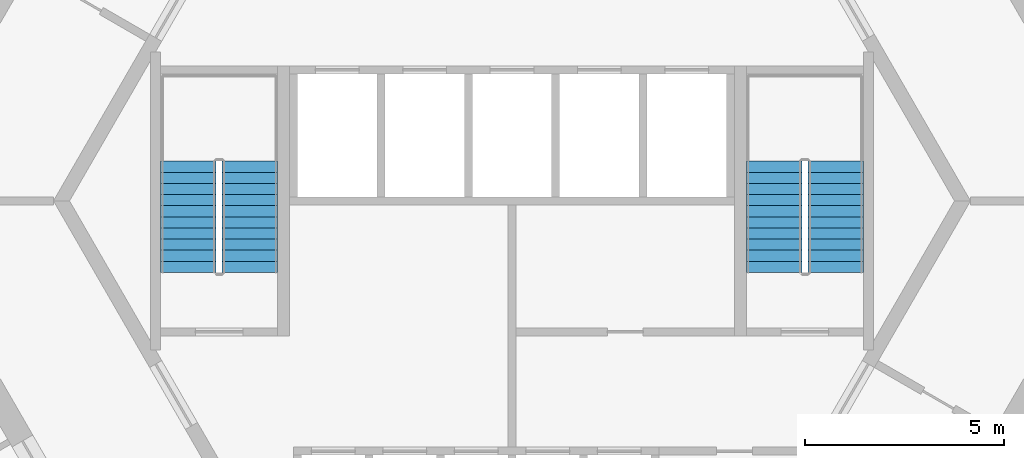
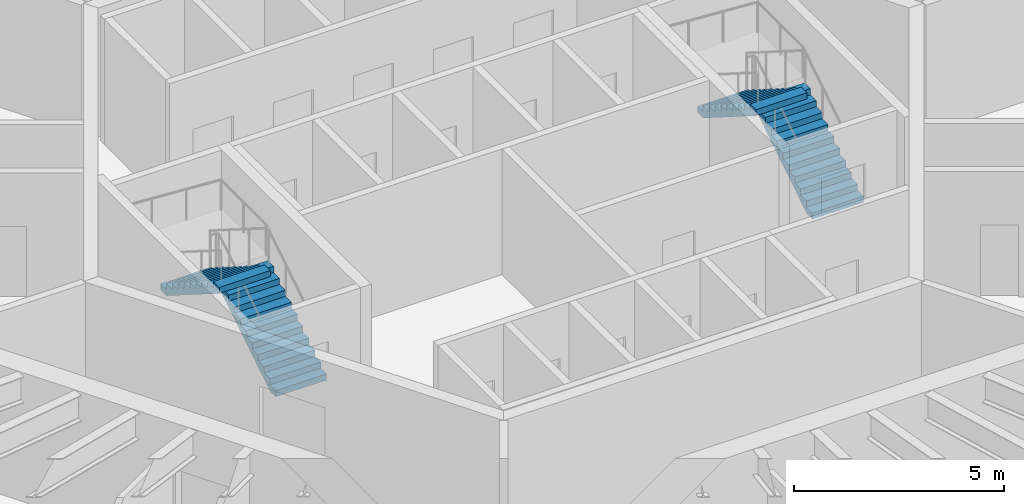
# One storey, part 11 of 12: 4 stair flights, 2 elements without a shape of their own.
"""IFC4 building model written with IfcOpenShell, lengths in metres."""

from ifc_helpers import new_model, si_unit, direction, frame, origin, place, context, subcontext, project, spatial, polyline, outline, extrude, material, type_object, element, aggregate, save


model = new_model("IFC4")

# Units and contexts
model_context = context("Model", 3, precision=1e-05, world=origin(), true_north=direction((0.0, 1.0)))
body_context = subcontext(model_context, "Body", "Model", "MODEL_VIEW")
ifc_project = project(units=[si_unit("LENGTHUNIT", "METRE"), si_unit("AREAUNIT", "SQUARE_METRE"), si_unit("VOLUMEUNIT", "CUBIC_METRE"), si_unit("PLANEANGLEUNIT", "RADIAN"), si_unit("MASSUNIT", "GRAM", prefix="KILO")], contexts=[model_context])

# Site, building, storey
site_placement = place(None, origin())
site = spatial("IfcSite", under=ifc_project, at=site_placement, CompositionType="ELEMENT")
building_placement = place(site_placement, origin())
building = spatial("IfcBuilding", under=site, at=building_placement, Name="Tarnside Tower", CompositionType="ELEMENT")
storey_placement = place(building_placement, frame((0.0, 0.0, 115.5)))
storey = spatial("IfcBuildingStorey", under=building, at=storey_placement, Name="L26", CompositionType="ELEMENT", Elevation=115.5)

# Stair, stair flights
ifc_material = material(Name="Concrete C40/50", Category="concrete")
stair_type = type_object("IfcStairType", Name="Exit stair 1400 clear", PredefinedType="HALF_TURN_STAIR", material=ifc_material)
stair_1_placement = place(storey_placement, origin())
stair_1 = element("IfcStair", 1, at=stair_1_placement, inside=storey, type_object=stair_type, Name="L26 Exit stair 1", PredefinedType="HALF_TURN_STAIR")
stair_flight_type = type_object("IfcStairFlightType", Name="Exit stair flight 1400", PredefinedType="STRAIGHT", material=ifc_material)
stair_flight_1_placement = place(storey_placement, frame((8.14990234375, -1.800048828125, 0.0), z_axis=(0.0, 0.0, 1.0), x_axis=(0.0, 1.0, 0.0)))
stair_flight_1 = element("IfcStairFlight", 2, at=stair_flight_1_placement, type_object=stair_flight_type, Name="ST1 flight 1", NumberOfRisers=11, NumberOfTreads=10, PredefinedType="STRAIGHT", RiserHeight=0.177272727, TreadLength=0.28, context=body_context, shape_type="SweptSolid", body=[
    extrude(outline(polyline([(0.0, 0.0), (0.0, 0.17724609375), (0.280029296875, 0.17724609375), (0.280029296875, 0.3544921875), (0.56005859375, 0.3544921875), (0.56005859375, 0.53173828125), (0.840087890625, 0.53173828125), (0.840087890625, 0.708984375), (1.1201171875, 0.708984375), (1.1201171875, 0.886474609375), (1.39990234375, 0.886474609375), (1.39990234375, 1.063720703125), (1.679931640625, 1.063720703125), (1.679931640625, 1.240966796875), (1.9599609375, 1.240966796875), (1.9599609375, 1.418212890625), (2.239990234375, 1.418212890625), (2.239990234375, 1.595458984375), (2.52001953125, 1.595458984375), (2.52001953125, 1.772705078125), (2.800048828125, 1.772705078125), (2.800048828125, 1.949951171875), (2.800048828125, 1.59521484375), (0.2802734375, 0.0), (0.0, 0.0)])), frame((0.0, 0.699951171875, 0.0), z_axis=(0.0, -1.0, 0.0), x_axis=(1.0, 0.0, 0.0)), (0.0, 0.0, 1.0), 1.39990234375),
])
stair_flight_2_placement = place(storey_placement, frame((6.60009765625, 1.0, 1.949951171875), z_axis=(0.0, 0.0, 1.0), x_axis=(0.0, -1.0, 0.0)))
stair_flight_2 = element("IfcStairFlight", 3, at=stair_flight_2_placement, type_object=stair_flight_type, Name="ST1 flight 2", NumberOfRisers=11, NumberOfTreads=10, PredefinedType="STRAIGHT", RiserHeight=0.177272727, TreadLength=0.28, context=body_context, shape_type="SweptSolid", body=[
    extrude(outline(polyline([(0.0, 0.0), (0.0, 0.17724609375), (0.280029296875, 0.17724609375), (0.280029296875, 0.3544921875), (0.56005859375, 0.3544921875), (0.56005859375, 0.53173828125), (0.840087890625, 0.53173828125), (0.840087890625, 0.708984375), (1.1201171875, 0.708984375), (1.1201171875, 0.886474609375), (1.39990234375, 0.886474609375), (1.39990234375, 1.063720703125), (1.679931640625, 1.063720703125), (1.679931640625, 1.240966796875), (1.9599609375, 1.240966796875), (1.9599609375, 1.418212890625), (2.239990234375, 1.418212890625), (2.239990234375, 1.595458984375), (2.52001953125, 1.595458984375), (2.52001953125, 1.772705078125), (2.800048828125, 1.772705078125), (2.800048828125, 1.949951171875), (2.800048828125, 1.59521484375), (0.2802734375, 0.0), (0.0, 0.0)])), frame((0.0, 0.699951171875, 0.0), z_axis=(0.0, -1.0, 0.0), x_axis=(1.0, 0.0, 0.0)), (0.0, 0.0, 1.0), 1.39990234375),
])
aggregate(stair_1, [stair_flight_1, stair_flight_2])

stair_2_placement = place(storey_placement, origin())
stair_2 = element("IfcStair", 4, at=stair_2_placement, inside=storey, type_object=stair_type, Name="L26 Exit stair 2", PredefinedType="HALF_TURN_STAIR")
stair_flight_3_placement = place(storey_placement, frame((-6.60009765625, -1.800048828125, 0.0), z_axis=(0.0, 0.0, 1.0), x_axis=(0.0, 1.0, 0.0)))
stair_flight_3 = element("IfcStairFlight", 5, at=stair_flight_3_placement, type_object=stair_flight_type, Name="ST2 flight 1", NumberOfRisers=11, NumberOfTreads=10, PredefinedType="STRAIGHT", RiserHeight=0.177272727, TreadLength=0.28, context=body_context, shape_type="SweptSolid", body=[
    extrude(outline(polyline([(0.0, 0.0), (0.0, 0.17724609375), (0.280029296875, 0.17724609375), (0.280029296875, 0.3544921875), (0.56005859375, 0.3544921875), (0.56005859375, 0.53173828125), (0.840087890625, 0.53173828125), (0.840087890625, 0.708984375), (1.1201171875, 0.708984375), (1.1201171875, 0.886474609375), (1.39990234375, 0.886474609375), (1.39990234375, 1.063720703125), (1.679931640625, 1.063720703125), (1.679931640625, 1.240966796875), (1.9599609375, 1.240966796875), (1.9599609375, 1.418212890625), (2.239990234375, 1.418212890625), (2.239990234375, 1.595458984375), (2.52001953125, 1.595458984375), (2.52001953125, 1.772705078125), (2.800048828125, 1.772705078125), (2.800048828125, 1.949951171875), (2.800048828125, 1.59521484375), (0.2802734375, 0.0), (0.0, 0.0)])), frame((0.0, 0.699951171875, 0.0), z_axis=(0.0, -1.0, 0.0), x_axis=(1.0, 0.0, 0.0)), (0.0, 0.0, 1.0), 1.39990234375),
])
stair_flight_4_placement = place(storey_placement, frame((-8.14990234375, 1.0, 1.949951171875), z_axis=(0.0, 0.0, 1.0), x_axis=(0.0, -1.0, 0.0)))
stair_flight_4 = element("IfcStairFlight", 6, at=stair_flight_4_placement, type_object=stair_flight_type, Name="ST2 flight 2", NumberOfRisers=11, NumberOfTreads=10, PredefinedType="STRAIGHT", RiserHeight=0.177272727, TreadLength=0.28, context=body_context, shape_type="SweptSolid", body=[
    extrude(outline(polyline([(0.0, 0.0), (0.0, 0.17724609375), (0.280029296875, 0.17724609375), (0.280029296875, 0.3544921875), (0.56005859375, 0.3544921875), (0.56005859375, 0.53173828125), (0.840087890625, 0.53173828125), (0.840087890625, 0.708984375), (1.1201171875, 0.708984375), (1.1201171875, 0.886474609375), (1.39990234375, 0.886474609375), (1.39990234375, 1.063720703125), (1.679931640625, 1.063720703125), (1.679931640625, 1.240966796875), (1.9599609375, 1.240966796875), (1.9599609375, 1.418212890625), (2.239990234375, 1.418212890625), (2.239990234375, 1.595458984375), (2.52001953125, 1.595458984375), (2.52001953125, 1.772705078125), (2.800048828125, 1.772705078125), (2.800048828125, 1.949951171875), (2.800048828125, 1.59521484375), (0.2802734375, 0.0), (0.0, 0.0)])), frame((0.0, 0.699951171875, 0.0), z_axis=(0.0, -1.0, 0.0), x_axis=(1.0, 0.0, 0.0)), (0.0, 0.0, 1.0), 1.39990234375),
])
aggregate(stair_2, [stair_flight_3, stair_flight_4])

save(model, "model.ifc")
